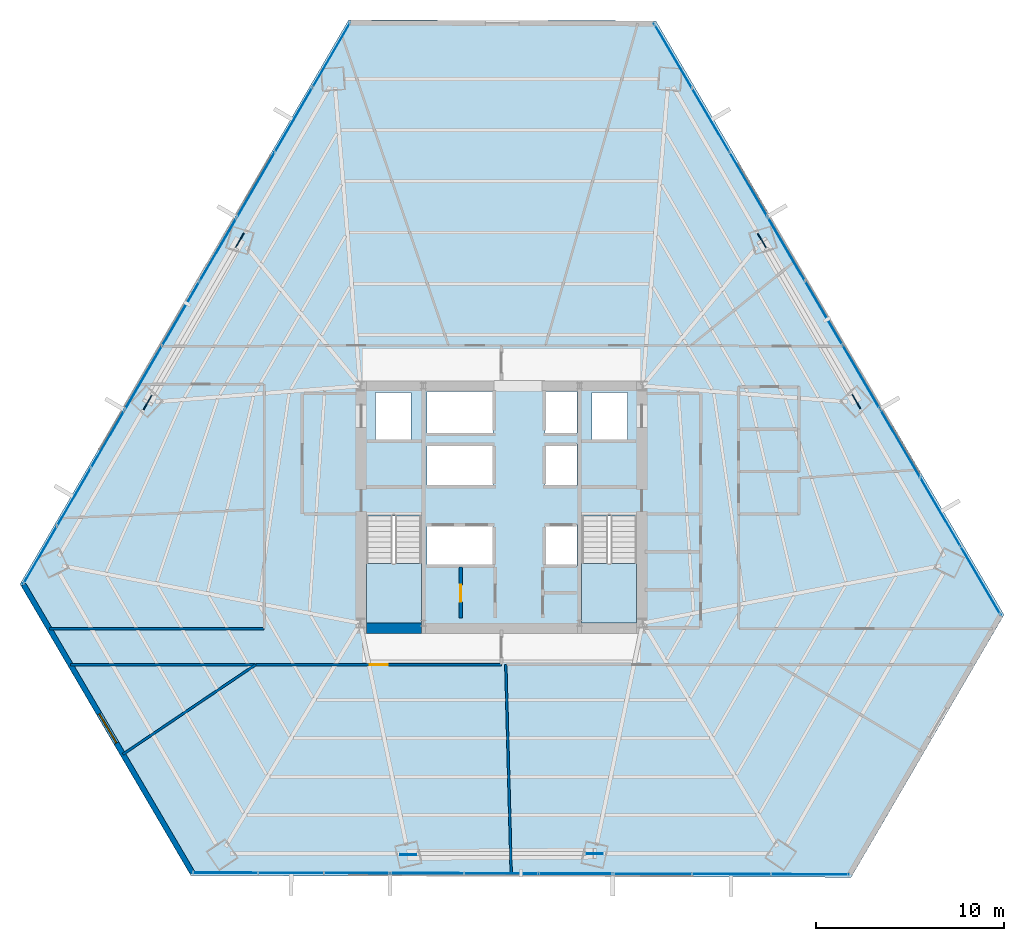
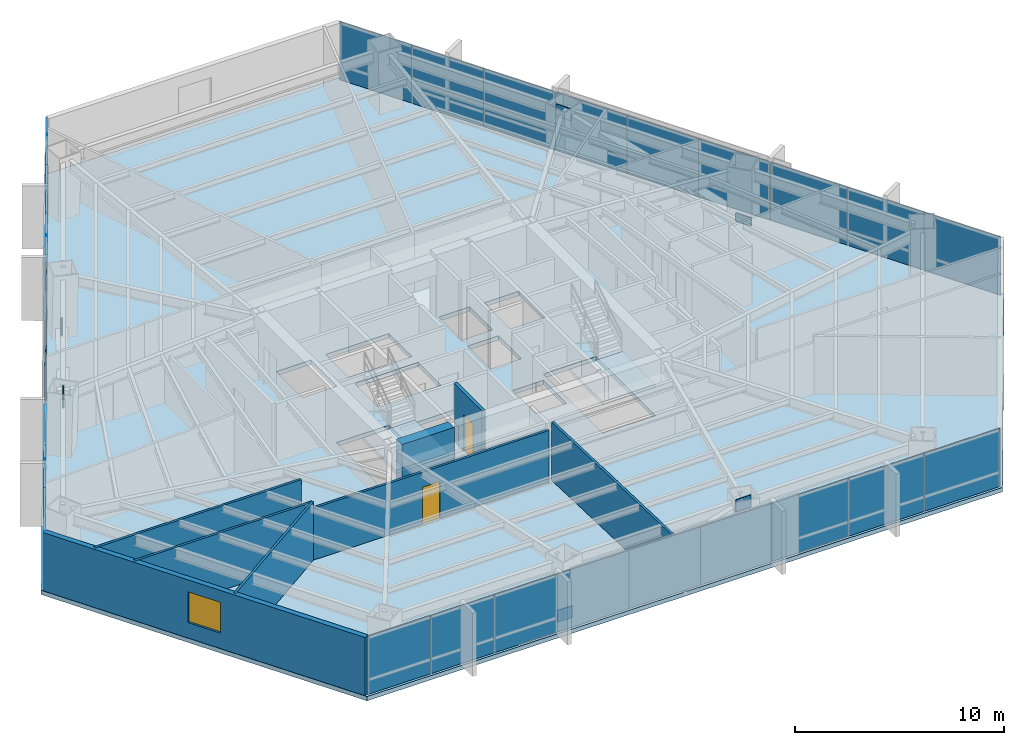
# One storey, part 27 of 33: 33 plates, 8 walls, 3 slabs, 2 doors, 1 window, 3 openings, 11 elements without a shape of their own.
"""IFC4 building model written with IfcOpenShell, lengths in metres."""

from ifc_helpers import new_model, si_unit, direction, frame, frame_2d, origin, origin_2d, place, context, subcontext, project, spatial, polyline, rectangle, outline, extrude, source, transform, mapped, material, layer, layer_set, type_object, type_shapes, element, fill, aggregate, save


model = new_model("IFC4")

# Units and contexts
model_context = context("Model", 3, precision=1e-05, world=origin(), true_north=direction((0.0, 1.0)))
body_context = subcontext(model_context, "Body", "Model", "MODEL_VIEW")
ifc_project = project(units=[si_unit("LENGTHUNIT", "METRE"), si_unit("AREAUNIT", "SQUARE_METRE"), si_unit("VOLUMEUNIT", "CUBIC_METRE"), si_unit("PLANEANGLEUNIT", "RADIAN"), si_unit("MASSUNIT", "GRAM", prefix="KILO")], contexts=[model_context])

# Site, building, storey
site_placement = place(None, origin())
site = spatial("IfcSite", under=ifc_project, at=site_placement, CompositionType="ELEMENT")
building_placement = place(site_placement, origin())
building = spatial("IfcBuilding", under=site, at=building_placement, Name="Caelisora Broadcast Tower", CompositionType="ELEMENT")
storey_placement = place(building_placement, frame((0.0, 0.0, 42.199951171875)))
storey = spatial("IfcBuildingStorey", under=building, at=storey_placement, Name="L10", CompositionType="ELEMENT", Elevation=42.199951171875)

# Slab
ifc_material_1 = material(Name="Concrete 40 MPa (AS 3600 N40)", Category="concrete")
ifc_layer_1 = layer(ifc_material_1, 0.25, Name="Concrete 40 MPa (AS 3600 N40)")
ifc_layer_set_1 = layer_set([ifc_layer_1], Name="Concrete 40 MPa (AS 3600 N40)")
slab_type_1 = type_object("IfcSlabType", Name="SL04", PredefinedType="FLOOR", material=ifc_layer_set_1)
slab_1_placement = place(storey_placement, frame((0.0, 0.0, -0.25)))
element("IfcSlab", 1, at=slab_1_placement, inside=storey, type_object=slab_type_1, Name="L10 suspended floor SL04", PredefinedType="FLOOR", context=body_context, shape_type="SweptSolid", body=[
    extrude(outline(polyline([(46.199951171875, 49.39306640625), (29.8779296875, 49.43896484375), (12.425048828125, 19.47412109375), (21.4970703125, 3.99609375), (56.572021484375, 3.89892578125), (64.694091796875, 17.843017578125), (46.199951171875, 49.39306640625)]), holes=[polyline([(30.820068359375, 17.39990234375), (33.739990234375, 17.39990234375), (33.739990234375, 23.080078125), (30.820068359375, 23.080078125), (30.820068359375, 17.39990234375)]), polyline([(42.260009765625, 17.39990234375), (45.179931640625, 17.39990234375), (45.179931640625, 23.080078125), (42.260009765625, 23.080078125), (42.260009765625, 17.39990234375)]), polyline([(42.800048828125, 27.14990234375), (44.699951171875, 27.14990234375), (44.699951171875, 29.64990234375), (42.800048828125, 29.64990234375), (42.800048828125, 27.14990234375)]), polyline([(40.300048828125, 20.429931640625), (42.0, 20.429931640625), (42.0, 22.6298828125), (40.300048828125, 22.6298828125), (40.300048828125, 20.429931640625)]), polyline([(40.300048828125, 24.719970703125), (42.0, 24.719970703125), (42.0, 26.919921875), (40.300048828125, 26.919921875), (40.300048828125, 24.719970703125)]), polyline([(40.300048828125, 27.5), (42.0, 27.5), (42.0, 29.699951171875), (40.300048828125, 29.699951171875), (40.300048828125, 27.5)]), polyline([(34.050048828125, 20.429931640625), (37.550048828125, 20.429931640625), (37.550048828125, 22.6298828125), (34.050048828125, 22.6298828125), (34.050048828125, 20.429931640625)]), polyline([(34.050048828125, 24.719970703125), (37.550048828125, 24.719970703125), (37.550048828125, 26.919921875), (34.050048828125, 26.919921875), (34.050048828125, 24.719970703125)]), polyline([(34.050048828125, 27.5), (37.550048828125, 27.5), (37.550048828125, 29.699951171875), (34.050048828125, 29.699951171875), (34.050048828125, 27.5)]), polyline([(31.300048828125, 27.14990234375), (33.199951171875, 27.14990234375), (33.199951171875, 29.64990234375), (31.300048828125, 29.64990234375), (31.300048828125, 27.14990234375)])]), origin(), (0.0, 0.0, 1.0), 0.25),
])

# Stair, slab
stair_type_1 = type_object("IfcStairType", Name="ST-1", PredefinedType="HALF_TURN_STAIR", material=ifc_material_1)
stair_1_placement = place(storey_placement, origin())
stair_1 = element("IfcStair", 2, at=stair_1_placement, inside=storey, type_object=stair_type_1, Name="L10 West Fire-Isolated Tower Stair", PredefinedType="HALF_TURN_STAIR")
ifc_layer_2 = layer(ifc_material_1, 0.199951171875, Name="Concrete 40 MPa (AS 3600 N40)")
ifc_layer_set_2 = layer_set([ifc_layer_2], Name="Concrete 40 MPa (AS 3600 N40)")
slab_type_2 = type_object("IfcSlabType", Name="STL-1", PredefinedType="LANDING", material=ifc_layer_set_2)
slab_2_placement = place(storey_placement, frame((0.0, 0.0, 1.625)))
slab_2 = element("IfcSlab", 3, at=slab_2_placement, type_object=slab_type_2, Name="ST-1 landing 1", PredefinedType="LANDING", context=body_context, shape_type="SweptSolid", body=[
    extrude(outline(polyline([(30.820068359375, 20.580078125), (30.820068359375, 17.39990234375), (33.739990234375, 17.39990234375), (33.739990234375, 20.580078125), (30.820068359375, 20.580078125)])), origin(), (0.0, 0.0, 1.0), 0.199951171875),
])
aggregate(stair_1, [slab_2])

stair_type_2 = type_object("IfcStairType", Name="ST-2", PredefinedType="HALF_TURN_STAIR", material=ifc_material_1)
stair_2_placement = place(storey_placement, origin())
stair_2 = element("IfcStair", 4, at=stair_2_placement, inside=storey, type_object=stair_type_2, Name="L10 East Fire-Isolated Tower Stair", PredefinedType="HALF_TURN_STAIR")
slab_3_placement = place(storey_placement, frame((0.0, 0.0, 1.625)))
slab_3 = element("IfcSlab", 5, at=slab_3_placement, type_object=slab_type_2, Name="ST-2 landing 1", PredefinedType="LANDING", context=body_context, shape_type="SweptSolid", body=[
    extrude(outline(polyline([(42.260009765625, 20.580078125), (42.260009765625, 17.39990234375), (45.179931640625, 17.39990234375), (45.179931640625, 20.580078125), (42.260009765625, 20.580078125)])), origin(), (0.0, 0.0, 1.0), 0.199951171875),
])
aggregate(stair_2, [slab_3])

# Plates
ifc_material_2 = material(Name="Steel Grade 350 L15 (AS/NZS 3678)", Category="steel")
ifc_layer_3 = layer(ifc_material_2, 0.050048828125, Name="Steel Grade 350 L15 (AS/NZS 3678)")
ifc_layer_set_3 = layer_set([ifc_layer_3], Name="Steel Grade 350 L15 (AS/NZS 3678)")
plate_type_1 = type_object("IfcPlateType", Name="GP03", PredefinedType="USERDEFINED", material=ifc_layer_set_3)
shared_shape_1 = source(origin(), body_context, "Body", "SweptSolid", [
    extrude(rectangle(XDim=0.85009765625, YDim=0.050048828125, at=origin_2d()), origin(), (0.0, 0.0, 1.0), 0.699951171875),
])
type_shapes(plate_type_1, [shared_shape_1])
for number, where, z_axis, x_axis, name in (
    (6, (24.09423828125, 37.736083984375, -0.22998046875), (0.0, 0.0, 1.0), (-0.5, -0.866025403784, 0.0), "L10 gusset plate GP03 (ND-L10-C02B)"),
    (7, (19.205810546875, 29.124267578125, 2.72998046875), (0.0, 0.0, 1.0), (-0.5, -0.866025403784, 0.0), "L10 gusset plate GP03 (ND-L10-C03T)"),
    (8, (33.056884765625, 5.089111328125, -0.22998046875), (0.0, 0.0, 1.0), (1.0, 0.0, 0.0), "L10 gusset plate GP03 (ND-L10-C06B)"),
    (9, (42.95947265625, 5.16162109375, 2.72998046875), (0.0, 0.0, 1.0), (1.0, 0.0, 0.0), "L10 gusset plate GP03 (ND-L10-C07T)"),
    (10, (56.8486328125, 29.174560546875, -0.22998046875), (0.0, 0.0, 1.0), (-0.5, 0.866025403784, 0.0), "L10 gusset plate GP03 (ND-L10-C10B)"),
    (11, (51.8349609375, 37.714111328125, 2.72998046875), (0.0, 0.0, 1.0), (-0.5, 0.866025403784, 0.0), "L10 gusset plate GP03 (ND-L10-C11T)"),
):
    element("IfcPlate", number, at=place(storey_placement, frame(where, z_axis=z_axis, x_axis=x_axis)), inside=storey, type_object=plate_type_1, Name=name, ObjectType="GUSSET PLATE", PredefinedType="USERDEFINED", context=body_context, shape_type="MappedRepresentation", body=[
        mapped(shared_shape_1, transform((0.0, 0.0, 0.0), scale=1.0)),
    ])

# Curtain wall, plates
ifc_material_3 = material(Name="Unitised Aluminium and Low-E Glass Curtain Wall", Category="glass")
curtain_wall_type_1 = type_object("IfcCurtainWallType", Name="CW-Z1", PredefinedType="NOTDEFINED", material=ifc_material_3)
curtain_wall_1_placement = place(storey_placement, origin())
curtain_wall_1 = element("IfcCurtainWall", 12, at=curtain_wall_1_placement, inside=storey, type_object=curtain_wall_type_1, Name="L10 curtain wall CW-Z1", PredefinedType="NOTDEFINED")
ifc_material_4 = material(Name="Double Glazed Low-E Argon IGU", Category="glass")
ifc_layer_4 = layer(ifc_material_4, 0.035888671875, Name="Double Glazed Low-E Argon IGU")
ifc_layer_set_4 = layer_set([ifc_layer_4], Name="Double Glazed Low-E Argon IGU")
plate_type_2 = type_object("IfcPlateType", Name="CWP-02", PredefinedType="CURTAIN_PANEL", material=ifc_layer_set_4)
shared_shape_2 = source(origin(), body_context, "Body", "SweptSolid", [
    extrude(rectangle(XDim=3.95849609375, YDim=0.035888671875, at=origin_2d()), origin(), (0.0, 0.0, 1.0), 3.39990234375),
])
plate_1_placement = place(storey_placement, frame((47.114990234375, 47.535400390625, 0.0), z_axis=(0.0, 0.0, 1.0), x_axis=(0.505732659231, -0.862690255763, 0.0)))
plate_1 = element("IfcPlate", 13, at=plate_1_placement, type_object=plate_type_2, Name="L10-CW-B01 glazed panel #1", PredefinedType="CURTAIN_PANEL", context=body_context, shape_type="MappedRepresentation", body=[
    mapped(shared_shape_2, transform((0.0, 0.0, 0.0), scale=1.0)),
])
plate_2_placement = place(storey_placement, frame((49.11669921875, 44.120361328125, 0.0), z_axis=(0.0, 0.0, 1.0), x_axis=(0.505732659231, -0.862690255763, 0.0)))
plate_2 = element("IfcPlate", 14, at=plate_2_placement, type_object=plate_type_2, Name="L10-CW-B01 glazed panel #2", PredefinedType="CURTAIN_PANEL", context=body_context, shape_type="MappedRepresentation", body=[
    mapped(shared_shape_2, transform((0.0, 0.0, 0.0), scale=1.0)),
])
plate_3_placement = place(storey_placement, frame((51.11865234375, 40.705078125, 0.0), z_axis=(0.0, 0.0, 1.0), x_axis=(0.505732659231, -0.862690255763, 0.0)))
plate_3 = element("IfcPlate", 15, at=plate_3_placement, type_object=plate_type_2, Name="L10-CW-B01 glazed panel #3", PredefinedType="CURTAIN_PANEL", context=body_context, shape_type="MappedRepresentation", body=[
    mapped(shared_shape_2, transform((0.0, 0.0, 0.0), scale=1.0)),
])
aggregate(curtain_wall_1, [plate_1, plate_2, plate_3])

ifc_material_5 = material(Name="Unitised Aluminium Insulated Shadow-Box Spandrel Curtain Wall", Category="aluminium")
curtain_wall_type_2 = type_object("IfcCurtainWallType", Name="CW-SP1", PredefinedType="NOTDEFINED", material=ifc_material_5)
curtain_wall_2_placement = place(storey_placement, origin())
curtain_wall_2 = element("IfcCurtainWall", 16, at=curtain_wall_2_placement, inside=storey, type_object=curtain_wall_type_2, Name="L10 curtain wall CW-SP1", PredefinedType="NOTDEFINED")
ifc_material_6 = material(Name="Insulated Terracotta Shadow-Box Spandrel Panel", Category="aluminium")
ifc_layer_5 = layer(ifc_material_6, 0.0439453125, Name="Insulated Terracotta Shadow-Box Spandrel Panel")
ifc_layer_set_5 = layer_set([ifc_layer_5], Name="Insulated Terracotta Shadow-Box Spandrel Panel")
plate_type_3 = type_object("IfcPlateType", Name="CWP-10", PredefinedType="CURTAIN_PANEL", material=ifc_layer_set_5)
shared_shape_3 = source(origin(), body_context, "Body", "SweptSolid", [
    extrude(rectangle(XDim=3.94189453125, YDim=0.0439453125, at=origin_2d()), origin(), (0.0, 0.0, 1.0), 3.39990234375),
])
type_shapes(plate_type_3, [shared_shape_3])
plate_4_placement = place(storey_placement, frame((53.121337890625, 37.28857421875, 0.0), z_axis=(0.0, 0.0, 1.0), x_axis=(0.505732659231, -0.862690255763, 0.0)))
plate_4 = element("IfcPlate", 17, at=plate_4_placement, type_object=plate_type_3, Name="L10-CW-B02 spandrel panel #1", PredefinedType="CURTAIN_PANEL", context=body_context, shape_type="MappedRepresentation", body=[
    mapped(shared_shape_3, transform((0.0, 0.0, 0.0), scale=1.0)),
])
plate_5_placement = place(storey_placement, frame((55.114990234375, 33.8876953125, 0.0), z_axis=(0.0, 0.0, 1.0), x_axis=(0.505732659231, -0.862690255763, 0.0)))
plate_5 = element("IfcPlate", 18, at=plate_5_placement, type_object=plate_type_3, Name="L10-CW-B02 spandrel panel #2", PredefinedType="CURTAIN_PANEL", context=body_context, shape_type="MappedRepresentation", body=[
    mapped(shared_shape_3, transform((0.0, 0.0, 0.0), scale=1.0)),
])
plate_6_placement = place(storey_placement, frame((57.1083984375, 30.487060546875, 0.0), z_axis=(0.0, 0.0, 1.0), x_axis=(0.505732659231, -0.862690255763, 0.0)))
plate_6 = element("IfcPlate", 19, at=plate_6_placement, type_object=plate_type_3, Name="L10-CW-B02 spandrel panel #3", PredefinedType="CURTAIN_PANEL", context=body_context, shape_type="MappedRepresentation", body=[
    mapped(shared_shape_3, transform((0.0, 0.0, 0.0), scale=1.0)),
])
aggregate(curtain_wall_2, [plate_4, plate_5, plate_6])

curtain_wall_3_placement = place(storey_placement, origin())
curtain_wall_3 = element("IfcCurtainWall", 20, at=curtain_wall_3_placement, inside=storey, type_object=curtain_wall_type_2, Name="L10 curtain wall CW-SP1", PredefinedType="NOTDEFINED")
plate_7_placement = place(storey_placement, frame((41.939208984375, 4.08935546875, 0.0), z_axis=(0.0, 0.0, 1.0), x_axis=(-0.9999961009, 0.002792523174, 0.0)))
plate_7 = element("IfcPlate", 21, at=plate_7_placement, type_object=plate_type_3, Name="L10-CW-B06 spandrel panel #1", PredefinedType="CURTAIN_PANEL", context=body_context, shape_type="MappedRepresentation", body=[
    mapped(shared_shape_3, transform((0.0, 0.0, 0.0), scale=1.0)),
])
plate_8_placement = place(storey_placement, frame((37.997314453125, 4.100341796875, 0.0), z_axis=(0.0, 0.0, 1.0), x_axis=(-0.9999961009, 0.002792523174, 0.0)))
plate_8 = element("IfcPlate", 22, at=plate_8_placement, type_object=plate_type_3, Name="L10-CW-B06 spandrel panel #2", PredefinedType="CURTAIN_PANEL", context=body_context, shape_type="MappedRepresentation", body=[
    mapped(shared_shape_3, transform((0.0, 0.0, 0.0), scale=1.0)),
])
plate_9_placement = place(storey_placement, frame((34.055419921875, 4.111328125, 0.0), z_axis=(0.0, 0.0, 1.0), x_axis=(-0.9999961009, 0.002792523174, 0.0)))
plate_9 = element("IfcPlate", 23, at=plate_9_placement, type_object=plate_type_3, Name="L10-CW-B06 spandrel panel #3", PredefinedType="CURTAIN_PANEL", context=body_context, shape_type="MappedRepresentation", body=[
    mapped(shared_shape_3, transform((0.0, 0.0, 0.0), scale=1.0)),
])
aggregate(curtain_wall_3, [plate_7, plate_8, plate_9])

curtain_wall_4_placement = place(storey_placement, origin())
curtain_wall_4 = element("IfcCurtainWall", 24, at=curtain_wall_4_placement, inside=storey, type_object=curtain_wall_type_2, Name="L10 curtain wall CW-SP1", PredefinedType="NOTDEFINED")
plate_10_placement = place(storey_placement, frame((18.981201171875, 30.431884765625, 0.0), z_axis=(0.0, 0.0, 1.0), x_axis=(0.503321604797, 0.864099162217, 0.0)))
plate_10 = element("IfcPlate", 25, at=plate_10_placement, type_object=plate_type_3, Name="L10-CW-B10 spandrel panel #1", PredefinedType="CURTAIN_PANEL", context=body_context, shape_type="MappedRepresentation", body=[
    mapped(shared_shape_3, transform((0.0, 0.0, 0.0), scale=1.0)),
])
plate_11_placement = place(storey_placement, frame((20.965087890625, 33.83837890625, 0.0), z_axis=(0.0, 0.0, 1.0), x_axis=(0.503321604797, 0.864099162217, 0.0)))
plate_11 = element("IfcPlate", 26, at=plate_11_placement, type_object=plate_type_3, Name="L10-CW-B10 spandrel panel #2", PredefinedType="CURTAIN_PANEL", context=body_context, shape_type="MappedRepresentation", body=[
    mapped(shared_shape_3, transform((0.0, 0.0, 0.0), scale=1.0)),
])
plate_12_placement = place(storey_placement, frame((22.94921875, 37.244873046875, 0.0), z_axis=(0.0, 0.0, 1.0), x_axis=(0.503321604797, 0.864099162217, 0.0)))
plate_12 = element("IfcPlate", 27, at=plate_12_placement, type_object=plate_type_3, Name="L10-CW-B10 spandrel panel #3", PredefinedType="CURTAIN_PANEL", context=body_context, shape_type="MappedRepresentation", body=[
    mapped(shared_shape_3, transform((0.0, 0.0, 0.0), scale=1.0)),
])
aggregate(curtain_wall_4, [plate_10, plate_11, plate_12])

curtain_wall_5_placement = place(storey_placement, origin())
curtain_wall_5 = element("IfcCurtainWall", 28, at=curtain_wall_5_placement, inside=storey, type_object=curtain_wall_type_1, Name="L10 curtain wall CW-Z1", PredefinedType="NOTDEFINED")
shared_shape_4 = source(origin(), body_context, "Body", "SweptSolid", [
    extrude(rectangle(XDim=4.22509765625, YDim=0.035888671875, at=origin_2d()), origin(), (0.0, 0.0, 1.0), 3.39990234375),
])
plate_13_placement = place(storey_placement, frame((59.178466796875, 26.95556640625, 0.0), z_axis=(0.0, 0.0, 1.0), x_axis=(0.505732659231, -0.862690255763, 0.0)))
plate_13 = element("IfcPlate", 29, at=plate_13_placement, type_object=plate_type_2, Name="L10-CW-B03 glazed panel #1", PredefinedType="CURTAIN_PANEL", context=body_context, shape_type="MappedRepresentation", body=[
    mapped(shared_shape_4, transform((0.0, 0.0, 0.0), scale=1.0)),
])
plate_14_placement = place(storey_placement, frame((61.315185546875, 23.310546875, 0.0), z_axis=(0.0, 0.0, 1.0), x_axis=(0.505732659231, -0.862690255763, 0.0)))
plate_14 = element("IfcPlate", 30, at=plate_14_placement, type_object=plate_type_2, Name="L10-CW-B03 glazed panel #2", PredefinedType="CURTAIN_PANEL", context=body_context, shape_type="MappedRepresentation", body=[
    mapped(shared_shape_4, transform((0.0, 0.0, 0.0), scale=1.0)),
])
plate_15_placement = place(storey_placement, frame((63.45166015625, 19.66552734375, 0.0), z_axis=(0.0, 0.0, 1.0), x_axis=(0.505732659231, -0.862690255763, 0.0)))
plate_15 = element("IfcPlate", 31, at=plate_15_placement, type_object=plate_type_2, Name="L10-CW-B03 glazed panel #3", PredefinedType="CURTAIN_PANEL", context=body_context, shape_type="MappedRepresentation", body=[
    mapped(shared_shape_4, transform((0.0, 0.0, 0.0), scale=1.0)),
])
aggregate(curtain_wall_5, [plate_13, plate_14, plate_15])

curtain_wall_6_placement = place(storey_placement, origin())
curtain_wall_6 = element("IfcCurtainWall", 32, at=curtain_wall_6_placement, inside=storey, type_object=curtain_wall_type_1, Name="L10 curtain wall CW-Z1", PredefinedType="NOTDEFINED")
shared_shape_5 = source(origin(), body_context, "Body", "SweptSolid", [
    extrude(rectangle(XDim=4.188720703125, YDim=0.035888671875, at=origin_2d()), origin(), (0.0, 0.0, 1.0), 3.39990234375),
])
plate_16_placement = place(storey_placement, frame((54.3916015625, 4.0546875, 0.0), z_axis=(0.0, 0.0, 1.0), x_axis=(-0.9999961009, 0.002792523174, 0.0)))
plate_16 = element("IfcPlate", 33, at=plate_16_placement, type_object=plate_type_2, Name="L10-CW-B05 glazed panel #1", PredefinedType="CURTAIN_PANEL", context=body_context, shape_type="MappedRepresentation", body=[
    mapped(shared_shape_5, transform((0.0, 0.0, 0.0), scale=1.0)),
])
plate_17_placement = place(storey_placement, frame((50.203125, 4.06640625, 0.0), z_axis=(0.0, 0.0, 1.0), x_axis=(-0.9999961009, 0.002792523174, 0.0)))
plate_17 = element("IfcPlate", 34, at=plate_17_placement, type_object=plate_type_2, Name="L10-CW-B05 glazed panel #2", PredefinedType="CURTAIN_PANEL", context=body_context, shape_type="MappedRepresentation", body=[
    mapped(shared_shape_5, transform((0.0, 0.0, 0.0), scale=1.0)),
])
plate_18_placement = place(storey_placement, frame((46.014404296875, 4.078125, 0.0), z_axis=(0.0, 0.0, 1.0), x_axis=(-0.9999961009, 0.002792523174, 0.0)))
plate_18 = element("IfcPlate", 35, at=plate_18_placement, type_object=plate_type_2, Name="L10-CW-B05 glazed panel #3", PredefinedType="CURTAIN_PANEL", context=body_context, shape_type="MappedRepresentation", body=[
    mapped(shared_shape_5, transform((0.0, 0.0, 0.0), scale=1.0)),
])
aggregate(curtain_wall_6, [plate_16, plate_17, plate_18])

curtain_wall_7_placement = place(storey_placement, origin())
curtain_wall_7 = element("IfcCurtainWall", 36, at=curtain_wall_7_placement, inside=storey, type_object=curtain_wall_type_1, Name="L10 curtain wall CW-Z1", PredefinedType="NOTDEFINED")
shared_shape_6 = source(origin(), body_context, "Body", "SweptSolid", [
    extrude(rectangle(XDim=3.4970703125, YDim=0.035888671875, at=origin_2d()), origin(), (0.0, 0.0, 1.0), 3.39990234375),
])
plate_19_placement = place(storey_placement, frame((30.32568359375, 4.12158203125, 0.0), z_axis=(0.0, 0.0, 1.0), x_axis=(-0.9999961009, 0.002792523174, 0.0)))
plate_19 = element("IfcPlate", 37, at=plate_19_placement, type_object=plate_type_2, Name="L10-CW-B07 glazed panel #1", PredefinedType="CURTAIN_PANEL", context=body_context, shape_type="MappedRepresentation", body=[
    mapped(shared_shape_6, transform((0.0, 0.0, 0.0), scale=1.0)),
])
plate_20_placement = place(storey_placement, frame((26.82861328125, 4.13134765625, 0.0), z_axis=(0.0, 0.0, 1.0), x_axis=(-0.9999961009, 0.002792523174, 0.0)))
plate_20 = element("IfcPlate", 38, at=plate_20_placement, type_object=plate_type_2, Name="L10-CW-B07 glazed panel #2", PredefinedType="CURTAIN_PANEL", context=body_context, shape_type="MappedRepresentation", body=[
    mapped(shared_shape_6, transform((0.0, 0.0, 0.0), scale=1.0)),
])
plate_21_placement = place(storey_placement, frame((23.33154296875, 4.14111328125, 0.0), z_axis=(0.0, 0.0, 1.0), x_axis=(-0.9999961009, 0.002792523174, 0.0)))
plate_21 = element("IfcPlate", 39, at=plate_21_placement, type_object=plate_type_2, Name="L10-CW-B07 glazed panel #3", PredefinedType="CURTAIN_PANEL", context=body_context, shape_type="MappedRepresentation", body=[
    mapped(shared_shape_6, transform((0.0, 0.0, 0.0), scale=1.0)),
])
aggregate(curtain_wall_7, [plate_19, plate_20, plate_21])

curtain_wall_8_placement = place(storey_placement, origin())
curtain_wall_8 = element("IfcCurtainWall", 40, at=curtain_wall_8_placement, inside=storey, type_object=curtain_wall_type_1, Name="L10 curtain wall CW-Z1", PredefinedType="NOTDEFINED")
shared_shape_7 = source(origin(), body_context, "Body", "SweptSolid", [
    extrude(rectangle(XDim=3.566650390625, YDim=0.035888671875, at=origin_2d()), origin(), (0.0, 0.0, 1.0), 3.39990234375),
])
plate_22_placement = place(storey_placement, frame((13.49658203125, 21.014892578125, 0.0), z_axis=(0.0, 0.0, 1.0), x_axis=(0.503321604797, 0.864099162217, 0.0)))
plate_22 = element("IfcPlate", 41, at=plate_22_placement, type_object=plate_type_2, Name="L10-CW-B09 glazed panel #1", PredefinedType="CURTAIN_PANEL", context=body_context, shape_type="MappedRepresentation", body=[
    mapped(shared_shape_7, transform((0.0, 0.0, 0.0), scale=1.0)),
])
plate_23_placement = place(storey_placement, frame((15.29150390625, 24.09716796875, 0.0), z_axis=(0.0, 0.0, 1.0), x_axis=(0.503321604797, 0.864099162217, 0.0)))
plate_23 = element("IfcPlate", 42, at=plate_23_placement, type_object=plate_type_2, Name="L10-CW-B09 glazed panel #2", PredefinedType="CURTAIN_PANEL", context=body_context, shape_type="MappedRepresentation", body=[
    mapped(shared_shape_7, transform((0.0, 0.0, 0.0), scale=1.0)),
])
plate_24_placement = place(storey_placement, frame((17.086669921875, 27.17919921875, 0.0), z_axis=(0.0, 0.0, 1.0), x_axis=(0.503321604797, 0.864099162217, 0.0)))
plate_24 = element("IfcPlate", 43, at=plate_24_placement, type_object=plate_type_2, Name="L10-CW-B09 glazed panel #3", PredefinedType="CURTAIN_PANEL", context=body_context, shape_type="MappedRepresentation", body=[
    mapped(shared_shape_7, transform((0.0, 0.0, 0.0), scale=1.0)),
])
aggregate(curtain_wall_8, [plate_22, plate_23, plate_24])

curtain_wall_9_placement = place(storey_placement, origin())
curtain_wall_9 = element("IfcCurtainWall", 44, at=curtain_wall_9_placement, inside=storey, type_object=curtain_wall_type_1, Name="L10 curtain wall CW-Z1", PredefinedType="NOTDEFINED")
shared_shape_8 = source(origin(), body_context, "Body", "SweptSolid", [
    extrude(rectangle(XDim=3.985595703125, YDim=0.035888671875, at=origin_2d()), origin(), (0.0, 0.0, 1.0), 3.39990234375),
])
type_shapes(plate_type_2, [shared_shape_2, shared_shape_4, shared_shape_5, shared_shape_6, shared_shape_7, shared_shape_8])
plate_25_placement = place(storey_placement, frame((24.94921875, 40.6787109375, 0.0), z_axis=(0.0, 0.0, 1.0), x_axis=(0.503321604797, 0.864099162217, 0.0)))
plate_25 = element("IfcPlate", 45, at=plate_25_placement, type_object=plate_type_2, Name="L10-CW-B11 glazed panel #1", PredefinedType="CURTAIN_PANEL", context=body_context, shape_type="MappedRepresentation", body=[
    mapped(shared_shape_8, transform((0.0, 0.0, 0.0), scale=1.0)),
])
plate_26_placement = place(storey_placement, frame((26.955078125, 44.122802734375, 0.0), z_axis=(0.0, 0.0, 1.0), x_axis=(0.503321604797, 0.864099162217, 0.0)))
plate_26 = element("IfcPlate", 46, at=plate_26_placement, type_object=plate_type_2, Name="L10-CW-B11 glazed panel #2", PredefinedType="CURTAIN_PANEL", context=body_context, shape_type="MappedRepresentation", body=[
    mapped(shared_shape_8, transform((0.0, 0.0, 0.0), scale=1.0)),
])
plate_27_placement = place(storey_placement, frame((28.9609375, 47.56689453125, 0.0), z_axis=(0.0, 0.0, 1.0), x_axis=(0.503321604797, 0.864099162217, 0.0)))
plate_27 = element("IfcPlate", 47, at=plate_27_placement, type_object=plate_type_2, Name="L10-CW-B11 glazed panel #3", PredefinedType="CURTAIN_PANEL", context=body_context, shape_type="MappedRepresentation", body=[
    mapped(shared_shape_8, transform((0.0, 0.0, 0.0), scale=1.0)),
])
aggregate(curtain_wall_9, [plate_25, plate_26, plate_27])

# Wall
ifc_material_7 = material(Name="Concrete 65 MPa (AS 3600 S65)", Category="concrete")
ifc_layer_6 = layer(ifc_material_7, 0.550048828125, Name="Concrete 65 MPa (AS 3600 S65)")
ifc_layer_set_6 = layer_set([ifc_layer_6], Name="Concrete 65 MPa (AS 3600 S65)")
wall_type_1 = type_object("IfcWallType", Name="CW4", PredefinedType="SHEAR", material=ifc_layer_set_6)
wall_1_placement = place(storey_placement, frame((30.840087890625, 17.125, 0.0), z_axis=(0.0, 0.0, 1.0), x_axis=(1.0, 0.0, 0.0)))
element("IfcWall", 48, at=wall_1_placement, inside=storey, type_object=wall_type_1, Name="L10 core shear wall CW4", PredefinedType="SHEAR", context=body_context, shape_type="SweptSolid", body=[
    extrude(rectangle(XDim=2.89990234375, YDim=0.550048828125, at=frame_2d((1.449951171875, 0.0))), origin(), (0.0, 0.0, 1.0), 3.650146484375),
])

# Wall, opening, window
ifc_material_8 = material(Name="Insulated Terracotta Spandrel Wall System", Category="masonry")
ifc_layer_7 = layer(ifc_material_8, 0.280029296875, Name="Insulated Terracotta Spandrel Wall System")
ifc_layer_set_7 = layer_set([ifc_layer_7], Name="Insulated Terracotta Spandrel Wall System")
wall_type_2 = type_object("IfcWallType", Name="EW1", PredefinedType="STANDARD", material=ifc_layer_set_7)
wall_2_placement = place(storey_placement, frame((21.56787109375, 4.171875, 0.0), z_axis=(0.0, 0.0, 1.0), x_axis=(-0.505662528386, 0.862731364554, 0.0)))
wall_2 = element("IfcWall", 49, at=wall_2_placement, inside=storey, type_object=wall_type_2, Name="L10 exterior envelope wall EW1", PredefinedType="STANDARD", context=body_context, shape_type="SweptSolid", body=[
    extrude(rectangle(XDim=17.706787109375, YDim=0.280029296875, at=frame_2d((8.853515625, 0.0))), origin(), (0.0, 0.0, 1.0), 3.400146484375),
])
opening_1_placement = place(wall_2_placement, frame((7.949951171875, 0.0, 0.89990234375)))
opening_1 = element("IfcOpeningElement", 50, at=opening_1_placement, cuts=wall_2, Name="Opening W01", PredefinedType="OPENING", context=body_context, shape_type="SweptSolid", body=[
    extrude(rectangle(XDim=1.800048828125, YDim=1.800048828125, at=frame_2d((0.89990234375, 0.89990234375))), frame((0.0, 0.152099609375, 0.0), z_axis=(0.0, -1.0, 0.0), x_axis=(1.0, 0.0, 0.0)), (0.0, 0.0, 1.0), 0.303955078125),
])
ifc_material_9 = material(Name="Double Glazed Terracotta-Framed Vision Window", Category="glass")
window_type = type_object("IfcWindowType", Name="W01", PartitioningType="SINGLE_PANEL", PredefinedType="WINDOW", material=ifc_material_9)
window_placement = place(opening_1_placement, origin())
window = element("IfcWindow", 51, at=window_placement, inside=storey, type_object=window_type, Name="L10 window W01 (L10-WN-CH4)", OverallHeight=1.800048828125, OverallWidth=1.800048828125, PartitioningType="SINGLE_PANEL", PredefinedType="WINDOW", context=body_context, shape_type="SweptSolid", body=[
    extrude(rectangle(XDim=1.800048828125, YDim=1.800048828125, at=frame_2d((0.89990234375, 0.89990234375))), frame((0.0, 0.030029296875, 0.0), z_axis=(0.0, -1.0, 0.0), x_axis=(1.0, 0.0, 0.0)), (0.0, 0.0, 1.0), 0.06005859375),
])
fill(opening_1, window)

# Wall, opening, door
ifc_material_10 = material(Name="Fire-Rated Gypsum Shaft and Compartment Wall", Category="gypsum")
ifc_layer_8 = layer(ifc_material_10, 0.179931640625, Name="Fire-Rated Gypsum Shaft and Compartment Wall")
ifc_layer_set_8 = layer_set([ifc_layer_8], Name="Fire-Rated Gypsum Shaft and Compartment Wall")
wall_type_3 = type_object("IfcWallType", Name="PW2", PredefinedType="PARTITIONING", material=ifc_layer_set_8)
wall_3_placement = place(storey_placement, frame((35.840087890625, 17.679931640625, 0.0), z_axis=(0.0, 0.0, 1.0), x_axis=(0.0, 1.0, 0.0)))
wall_3 = element("IfcWall", 52, at=wall_3_placement, inside=storey, type_object=wall_type_3, Name="L10 fire compartment wall PW2", PredefinedType="PARTITIONING", context=body_context, shape_type="SweptSolid", body=[
    extrude(rectangle(XDim=2.699951171875, YDim=0.179931640625, at=frame_2d((1.35009765625, 0.0))), origin(), (0.0, 0.0, 1.0), 3.400146484375),
])
opening_2_placement = place(wall_3_placement, frame((0.85009765625, 0.0, 0.0)))
opening_2 = element("IfcOpeningElement", 53, at=opening_2_placement, cuts=wall_3, Name="Opening FD03", PredefinedType="OPENING", context=body_context, shape_type="SweptSolid", body=[
    extrude(rectangle(XDim=0.89990234375, YDim=2.10009765625, at=frame_2d((0.449951171875, 1.050048828125))), frame((0.0, 0.10205078125, 0.0), z_axis=(0.0, -1.0, 0.0), x_axis=(1.0, 0.0, 0.0)), (0.0, 0.0, 1.0), 0.203857421875),
])
ifc_material_11 = material(Name="Single-Leaf Steel Riser Fire Access Door", Category="steel")
door_type_1 = type_object("IfcDoorType", Name="FD03", OperationType="NOTDEFINED", PredefinedType="DOOR", material=ifc_material_11)
door_1_placement = place(opening_2_placement, origin())
door_1 = element("IfcDoor", 54, at=door_1_placement, inside=storey, type_object=door_type_1, Name="L10 door FD03 (L10-DR-P11D1)", OperationType="SINGLE_SWING_LEFT", OverallHeight=2.10009765625, OverallWidth=0.89990234375, PredefinedType="DOOR", context=body_context, shape_type="SweptSolid", body=[
    extrude(rectangle(XDim=0.89990234375, YDim=2.10009765625, at=frame_2d((0.449951171875, 1.050048828125))), frame((0.0, 0.02490234375, 0.0), z_axis=(0.0, -1.0, 0.0), x_axis=(1.0, 0.0, 0.0)), (0.0, 0.0, 1.0), 0.050048828125),
])
fill(opening_2, door_1)

ifc_material_12 = material(Name="Acoustic Steel-Stud Plasterboard Partition", Category="gypsum")
ifc_layer_9 = layer(ifc_material_12, 0.1298828125, Name="Acoustic Steel-Stud Plasterboard Partition")
ifc_layer_set_9 = layer_set([ifc_layer_9], Name="Acoustic Steel-Stud Plasterboard Partition")
wall_type_4 = type_object("IfcWallType", Name="PW3", PredefinedType="PARTITIONING", material=ifc_layer_set_9)
wall_4_placement = place(storey_placement, frame((24.955078125, 15.199951171875, 0.0), z_axis=(0.0, 0.0, 1.0), x_axis=(1.0, 0.0, 0.0)))
wall_4 = element("IfcWall", 55, at=wall_4_placement, inside=storey, type_object=wall_type_4, Name="L10 internal partition PW3", PredefinedType="PARTITIONING", context=body_context, shape_type="SweptSolid", body=[
    extrude(rectangle(XDim=13.0400390625, YDim=0.1298828125, at=frame_2d((6.52001953125, 0.0))), origin(), (0.0, 0.0, 1.0), 3.0263671875),
])
opening_3_placement = place(wall_4_placement, frame((6.0400390625, 0.0, 0.0)))
opening_3 = element("IfcOpeningElement", 56, at=opening_3_placement, cuts=wall_4, Name="Opening D01", PredefinedType="OPENING", context=body_context, shape_type="SweptSolid", body=[
    extrude(rectangle(XDim=0.9599609375, YDim=2.14990234375, at=frame_2d((0.47998046875, 1.074951171875))), frame((0.0, 0.076904296875, 0.0), z_axis=(0.0, -1.0, 0.0), x_axis=(1.0, 0.0, 0.0)), (0.0, 0.0, 1.0), 0.15380859375),
])
ifc_material_13 = material(Name="Solid-Core Timber Acoustic Office Door", Category="wood")
door_type_2 = type_object("IfcDoorType", Name="D01", OperationType="NOTDEFINED", PredefinedType="DOOR", material=ifc_material_13)
door_2_placement = place(opening_3_placement, origin())
door_2 = element("IfcDoor", 57, at=door_2_placement, inside=storey, type_object=door_type_2, Name="L10 door D01 (L10-DR-P33D1)", OperationType="SINGLE_SWING_LEFT", OverallHeight=2.14990234375, OverallWidth=0.9599609375, PredefinedType="DOOR", context=body_context, shape_type="SweptSolid", body=[
    extrude(rectangle(XDim=0.9599609375, YDim=2.14990234375, at=frame_2d((0.47998046875, 1.074951171875))), frame((0.0, 0.02490234375, 0.0), z_axis=(0.0, -1.0, 0.0), x_axis=(1.0, 0.0, 0.0)), (0.0, 0.0, 1.0), 0.050048828125),
])
fill(opening_3, door_2)

# Walls
wall_5_placement = place(storey_placement, frame((25.39501953125, 17.10009765625, 0.0), z_axis=(0.0, 0.0, 1.0), x_axis=(-1.0, 0.0, 0.0)))
element("IfcWall", 58, at=wall_5_placement, inside=storey, type_object=wall_type_4, Name="L10 internal partition PW3", PredefinedType="PARTITIONING", context=body_context, shape_type="SweptSolid", body=[
    extrude(rectangle(XDim=11.410400390625, YDim=0.1298828125, at=frame_2d((5.705078125, 0.0))), origin(), (0.0, 0.0, 1.0), 3.400146484375),
])
wall_6_placement = place(storey_placement, frame((38.22998046875, 15.195068359375, 0.0), z_axis=(0.0, 0.0, 1.0), x_axis=(0.025898501701, -0.999664577551, 0.0)))
element("IfcWall", 59, at=wall_6_placement, inside=storey, type_object=wall_type_4, Name="L10 internal partition PW3", PredefinedType="PARTITIONING", context=body_context, shape_type="SweptSolid", body=[
    extrude(rectangle(XDim=11.104736328125, YDim=0.1298828125, at=frame_2d((5.55224609375, 0.0))), origin(), (0.0, 0.0, 1.0), 3.400146484375),
])
wall_7_placement = place(storey_placement, frame((15.09814453125, 15.199951171875, 0.0), z_axis=(0.0, 0.0, 1.0), x_axis=(1.0, 0.0, 0.0)))
element("IfcWall", 60, at=wall_7_placement, inside=storey, type_object=wall_type_4, Name="L10 internal partition PW3", PredefinedType="PARTITIONING", context=body_context, shape_type="SweptSolid", body=[
    extrude(rectangle(XDim=9.846923828125, YDim=0.1298828125, at=frame_2d((4.92333984375, 0.0))), origin(), (0.0, 0.0, 1.0), 3.400146484375),
])
wall_8_placement = place(storey_placement, frame((24.946044921875, 15.197021484375, 0.0), z_axis=(0.0, 0.0, 1.0), x_axis=(-0.828841691166, -0.559483199913, 0.0)))
element("IfcWall", 61, at=wall_8_placement, inside=storey, type_object=wall_type_4, Name="L10 internal partition PW3", PredefinedType="PARTITIONING", context=body_context, shape_type="SweptSolid", body=[
    extrude(rectangle(XDim=8.51171875, YDim=0.1298828125, at=frame_2d((4.255859375, 0.0))), origin(), (0.0, 0.0, 1.0), 3.400146484375),
])

save(model, "model.ifc")
